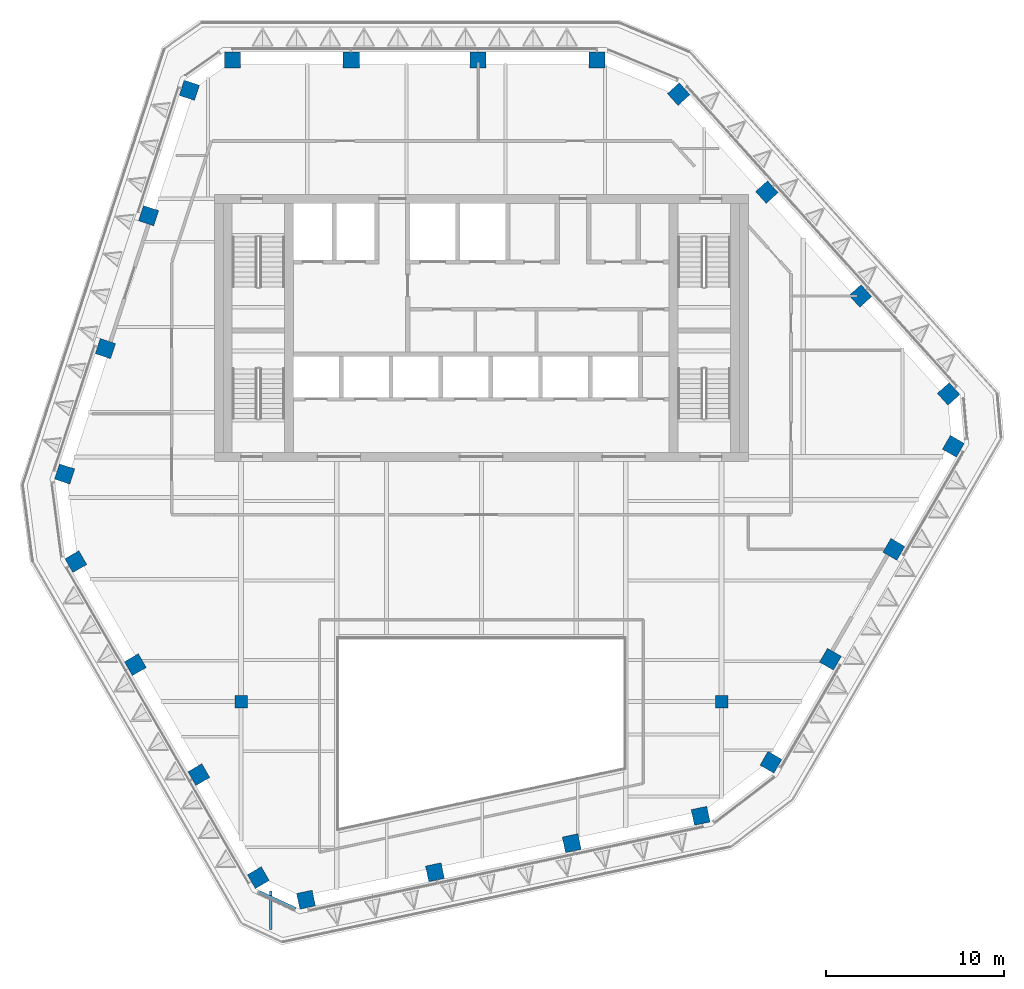
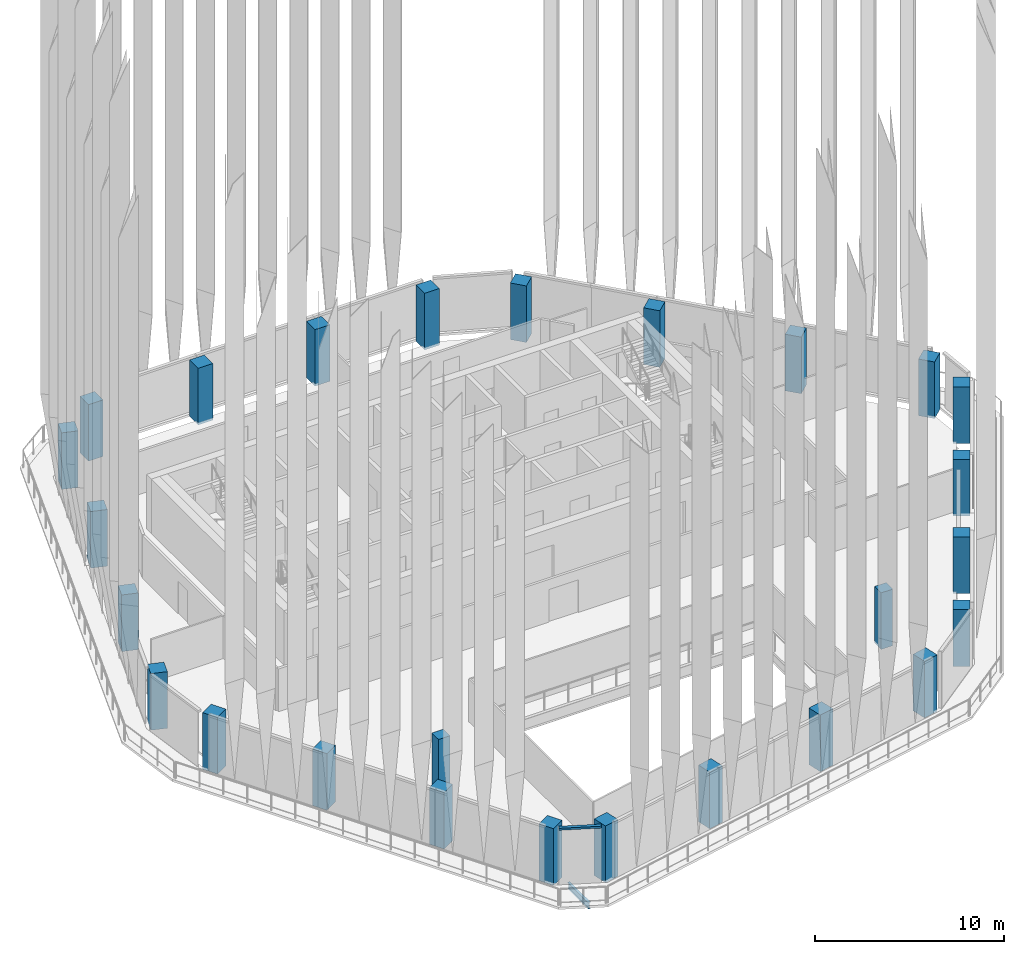
# One storey, part 1 of 21: 26 columns, 1 beam, 1 member, 1 element without a shape of its own.
"""IFC4 building model written with IfcOpenShell, lengths in metres."""

from ifc_helpers import new_model, si_unit, direction, frame, origin, origin_2d, place, context, subcontext, project, spatial, rectangle, i_section, extrude, material, layer, layer_set, material_profile, profile_set, type_object, element, aggregate, save


model = new_model("IFC4")

# Units and contexts
model_context = context("Model", 3, precision=1e-05, world=origin(), true_north=direction((0.0, 1.0)))
body_context = subcontext(model_context, "Body", "Model", "MODEL_VIEW")
ifc_project = project(units=[si_unit("LENGTHUNIT", "METRE"), si_unit("AREAUNIT", "SQUARE_METRE"), si_unit("VOLUMEUNIT", "CUBIC_METRE"), si_unit("PLANEANGLEUNIT", "RADIAN"), si_unit("MASSUNIT", "GRAM", prefix="KILO")], contexts=[model_context])

# Site, building, storey
site_placement = place(None, origin())
site = spatial("IfcSite", under=ifc_project, at=site_placement, CompositionType="ELEMENT")
building_placement = place(site_placement, origin())
building = spatial("IfcBuilding", under=site, at=building_placement, Name="Isthmus Gate Tower", CompositionType="ELEMENT")
storey_placement = place(building_placement, frame((0.0, 0.0, 260.949951171875)))
storey = spatial("IfcBuildingStorey", under=building, at=storey_placement, Name="L66", CompositionType="ELEMENT", Elevation=260.949951171875)

# Columns
ifc_material_1 = material(Name="Concrete f'c 50 MPa", Category="concrete")
ifc_material_profile_1 = material_profile(ifc_material_1, rectangle(XDim=0.699951171875, YDim=0.699951171875, at=origin_2d()), Name="RC 700X700")
ifc_profile_set_1 = profile_set([ifc_material_profile_1], Name="Concrete f'c 50 MPa")
column_type_1 = type_object("IfcColumnType", Name="RC INTERIOR COLUMN 700 X 700", PredefinedType="COLUMN", material=ifc_profile_set_1)
for number, where, z_axis, x_axis, name in (
    (1, (-13.5, -13.5, -0.14990234375), (0.0, 0.0, 1.0), (1.0, 0.0, 0.0), "str-icol-L66-ICB2"),
    (2, (13.5, -13.5, -0.14990234375), (0.0, 0.0, 1.0), (1.0, 0.0, 0.0), "str-icol-L66-ICD2"),
):
    element("IfcColumn", number, at=place(storey_placement, frame(where, z_axis=z_axis, x_axis=x_axis)), inside=storey, type_object=column_type_1, Name=name, PredefinedType="COLUMN", context=body_context, shape_type="SweptSolid", body=[
        extrude(rectangle(XDim=0.699951171875, YDim=0.699951171875, at=origin_2d()), origin(), (0.0, 0.0, 1.0), 3.64990234375),
    ])
ifc_material_2 = material(Name="Concrete f'c 50 MPa", Category="concrete")
ifc_material_profile_2 = material_profile(ifc_material_2, rectangle(XDim=0.89990234375, YDim=0.89990234375, at=origin_2d()), Name="RC 900X900")
ifc_profile_set_2 = profile_set([ifc_material_profile_2], Name="Concrete f'c 50 MPa")
column_type_2 = type_object("IfcColumnType", Name="RC TUBE COLUMN 900 X 900", PredefinedType="COLUMN", material=ifc_profile_set_2)
for number, where, z_axis, x_axis, name in (
    (3, (6.509521484375, 22.550048828125, -0.14990234375), (0.0, 0.0, 1.0), (-1.0, 0.0, 0.0), "str-tcol-L66-T4N0"),
    (4, (-0.175048828125, 22.550048828125, -0.14990234375), (0.0, 0.0, 1.0), (-1.0, 0.0, 0.0), "str-tcol-L66-T4N1"),
    (5, (-7.3095703125, 22.550048828125, -0.14990234375), (0.0, 0.0, 1.0), (-1.0, 0.0, 0.0), "str-tcol-L66-T4N2"),
    (6, (-13.994140625, 22.550048828125, -0.14990234375), (0.0, 0.0, 1.0), (-1.0, 0.0, 0.0), "str-tcol-L66-T4N3"),
    (7, (-16.408203125, 20.847900390625, -0.14990234375), (0.0, 0.0, 1.0), (-0.309016994375, -0.951056516295, 0.0), "str-tcol-L66-T4NW0"),
    (8, (-18.697021484375, 13.8037109375, -0.14990234375), (0.0, 0.0, 1.0), (-0.309016994375, -0.951056516295, 0.0), "str-tcol-L66-T4NW1"),
    (9, (-21.124755859375, 6.331298828125, -0.14990234375), (0.0, 0.0, 1.0), (-0.309016994375, -0.951056516295, 0.0), "str-tcol-L66-T4NW2"),
    (10, (-23.41357421875, -0.712890625, -0.14990234375), (0.0, 0.0, 1.0), (-0.309016994375, -0.951056516295, 0.0), "str-tcol-L66-T4NW3"),
    (11, (-22.78369140625, -5.6376953125, -0.14990234375), (0.0, 0.0, 1.0), (0.5, -0.866025403784, 0.0), "str-tcol-L66-T4SW0"),
    (12, (-19.44140625, -11.426513671875, -0.14990234375), (0.0, 0.0, 1.0), (0.5, -0.866025403784, 0.0), "str-tcol-L66-T4SW1"),
    (13, (-15.8740234375, -17.605224609375, -0.14990234375), (0.0, 0.0, 1.0), (0.5, -0.866025403784, 0.0), "str-tcol-L66-T4SW2"),
    (14, (-12.53173828125, -23.394287109375, -0.14990234375), (0.0, 0.0, 1.0), (0.5, -0.866025403784, 0.0), "str-tcol-L66-T4SW3"),
    (15, (-9.850830078125, -24.6337890625, -0.14990234375), (0.0, 0.0, 1.0), (0.978147600734, 0.207911690818, 0.0), "str-tcol-L66-T4S0"),
    (16, (-2.605712890625, -23.09375, -0.14990234375), (0.0, 0.0, 1.0), (0.978147600734, 0.207911690818, 0.0), "str-tcol-L66-T4S1"),
    (17, (5.079345703125, -21.460205078125, -0.14990234375), (0.0, 0.0, 1.0), (0.978147600734, 0.207911690818, 0.0), "str-tcol-L66-T4S2"),
    (18, (12.32421875, -19.92041015625, -0.14990234375), (0.0, 0.0, 1.0), (0.978147600734, 0.207911690818, 0.0), "str-tcol-L66-T4S3"),
    (19, (16.274169921875, -16.912353515625, -0.14990234375), (0.0, 0.0, 1.0), (0.5, 0.866025403784, 0.0), "str-tcol-L66-T4SE0"),
    (20, (19.616455078125, -11.123291015625, -0.14990234375), (0.0, 0.0, 1.0), (0.5, 0.866025403784, 0.0), "str-tcol-L66-T4SE1"),
    (21, (23.18359375, -4.944580078125, -0.14990234375), (0.0, 0.0, 1.0), (0.5, 0.866025403784, 0.0), "str-tcol-L66-T4SE2"),
    (22, (26.52587890625, 0.84423828125, -0.14990234375), (0.0, 0.0, 1.0), (0.5, 0.866025403784, 0.0), "str-tcol-L66-T4SE3"),
    (23, (26.2587890625, 3.785888671875, -0.14990234375), (0.0, 0.0, 1.0), (-0.669130606359, 0.743144825477, 0.0), "str-tcol-L66-T4NE0"),
    (24, (21.302734375, 9.290283203125, -0.14990234375), (0.0, 0.0, 1.0), (-0.669130606359, 0.743144825477, 0.0), "str-tcol-L66-T4NE1"),
    (25, (16.04541015625, 15.12890625, -0.14990234375), (0.0, 0.0, 1.0), (-0.669130606359, 0.743144825477, 0.0), "str-tcol-L66-T4NE2"),
    (26, (11.08935546875, 20.63330078125, -0.14990234375), (0.0, 0.0, 1.0), (-0.669130606359, 0.743144825477, 0.0), "str-tcol-L66-T4NE3"),
):
    element("IfcColumn", number, at=place(storey_placement, frame(where, z_axis=z_axis, x_axis=x_axis)), inside=storey, type_object=column_type_2, Name=name, PredefinedType="COLUMN", context=body_context, shape_type="SweptSolid", body=[
        extrude(rectangle(XDim=0.89990234375, YDim=0.89990234375, at=origin_2d()), origin(), (0.0, 0.0, 1.0), 3.64990234375),
    ])

# Curtain wall, member
ifc_material_3 = material(Name="Aluminium, pale champagne anodised", Category="aluminium")
ifc_layer = layer(ifc_material_3, 0.199951171875)
ifc_layer_set = layer_set([ifc_layer], Name="CW-1 UNITISED CURTAIN WALL 200 DEEP")
curtain_wall_type = type_object("IfcCurtainWallType", Name="CW-1 UNITISED CURTAIN WALL 200 DEEP", PredefinedType="NOTDEFINED", material=ifc_layer_set)
curtain_wall_placement = place(storey_placement, origin())
curtain_wall = element("IfcCurtainWall", 27, at=curtain_wall_placement, inside=storey, type_object=curtain_wall_type, Name="CW-1 SW-S L66", PredefinedType="NOTDEFINED")
ifc_material_4 = material(Name="Aluminium, pale champagne anodised", Category="aluminium")
ifc_material_profile_3 = material_profile(ifc_material_4, rectangle(XDim=0.199951171875, YDim=0.1298828125, at=origin_2d()), Name="200x130")
ifc_profile_set_3 = profile_set([ifc_material_profile_3], Name="Aluminium, pale champagne anodised")
member_type = type_object("IfcMemberType", Name="CW-1 TRANSOM 200 X 130", PredefinedType="USERDEFINED", material=ifc_profile_set_3)
member_placement = place(storey_placement, frame((-12.49267578125, -24.213623046875, 3.5849609375), z_axis=(0.907246225564, -0.420599912268, 0.0), x_axis=(0.420599912268, 0.907246225564, 0.0)))
member = element("IfcMember", 28, at=member_placement, type_object=member_type, Name="CW-1 transom", ObjectType="TRANSOM", PredefinedType="USERDEFINED", context=body_context, shape_type="SweptSolid", body=[
    extrude(rectangle(XDim=0.199951171875, YDim=0.1298828125, at=origin_2d()), origin(), (0.0, 0.0, 1.0), 2.258544921875),
])
aggregate(curtain_wall, [member])

# Beam
ifc_material_5 = material(Name="Structural steel ASTM A992 Gr 50", Category="steel")
ifc_material_profile_4 = material_profile(ifc_material_5, i_section(OverallWidth=0.1396484375, OverallDepth=0.4033203125, WebThickness=0.00634765625, FlangeThickness=0.010986328125, at=origin_2d()), Name="W16X31")
ifc_profile_set_4 = profile_set([ifc_material_profile_4], Name="Structural steel ASTM A992 Gr 50")
beam_type = type_object("IfcBeamType", Name="STEEL LEDGE BEAM W16X31", PredefinedType="JOIST", material=ifc_profile_set_4)
beam_placement = place(storey_placement, frame((-11.841552734375, -26.3203125, -0.3515625), z_axis=(0.0, 1.0, 0.0), x_axis=(-1.0, 0.0, 0.0)))
element("IfcBeam", 29, at=beam_placement, inside=storey, type_object=beam_type, Name="str-ringbeam-L66-00-04", PredefinedType="JOIST", context=body_context, shape_type="SweptSolid", body=[
    extrude(i_section(OverallWidth=0.1396484375, OverallDepth=0.4033203125, WebThickness=0.00634765625, FlangeThickness=0.010986328125, at=origin_2d()), origin(), (0.0, 0.0, 1.0), 2.188720703125),
])

save(model, "model.ifc")
